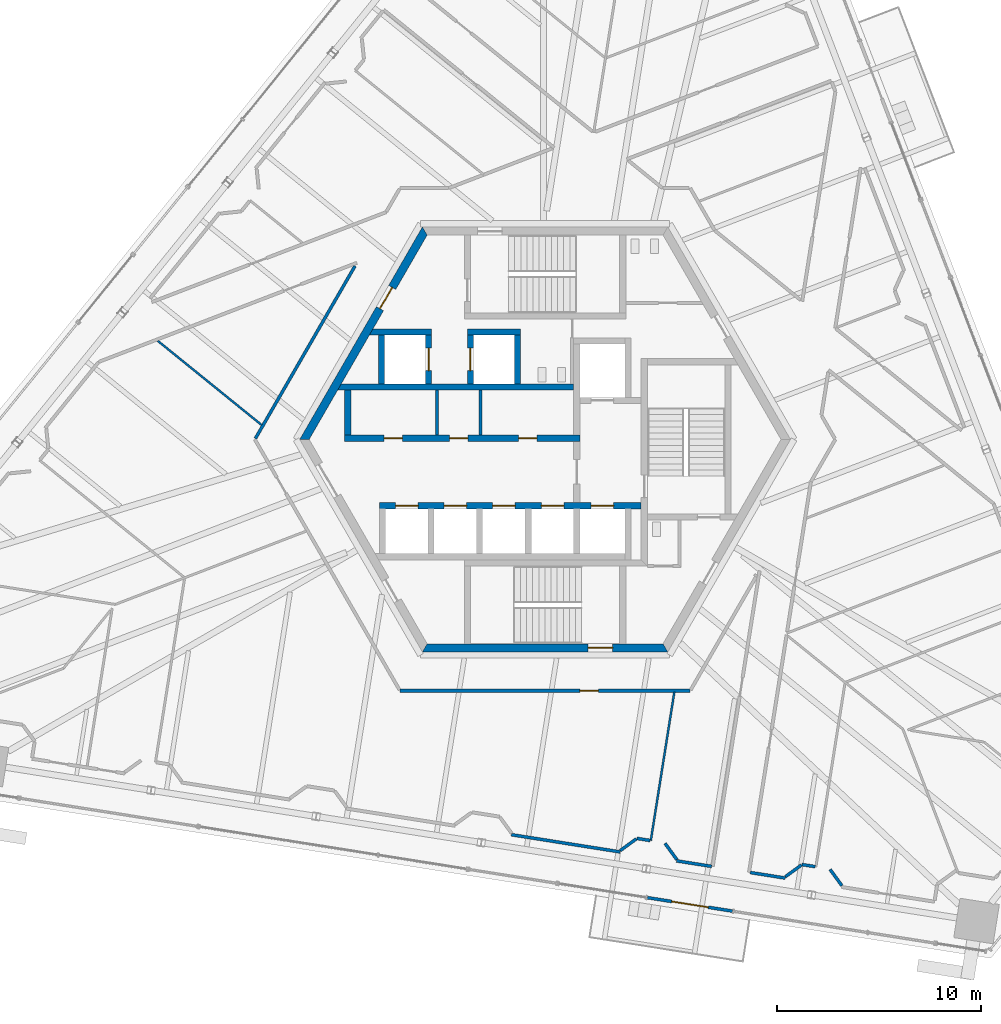
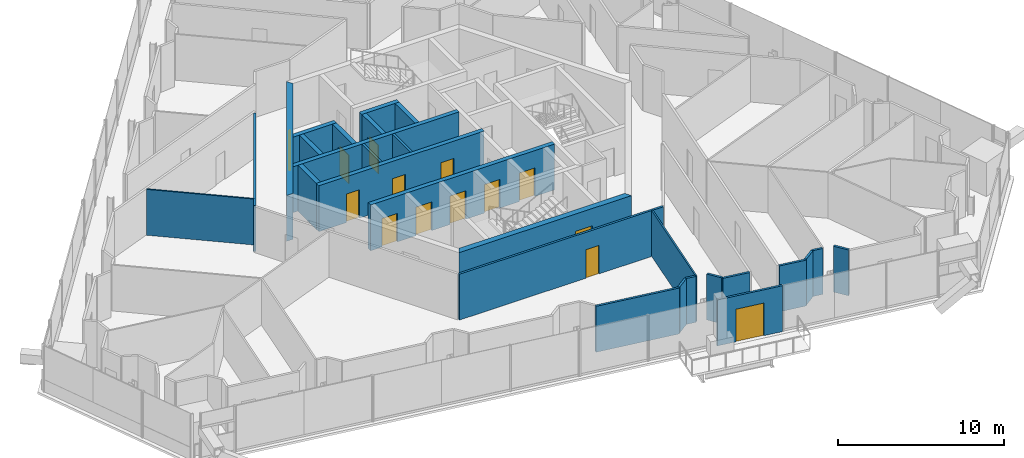
# One storey, part 14 of 23: 28 walls, 14 doors, 14 openings.
"""IFC4 building model written with IfcOpenShell, lengths in metres."""

import ifcopenshell
import ifcopenshell.guid

model = None  # the IFC model being written
_history = None  # IfcOwnerHistory: only IFC2X3 demands one
_inside = {}  # id of a spatial element -> (the spatial element, [elements in it])
_under = {}  # id of a project, library or spatial element -> (it, [spatial elements below it])
_declared = {}  # id of a project -> (the project, [libraries it declares])
_typed = {}  # id of a type object -> (the type object, [elements of that type])
_made_of = {}  # id of a material, layer set ... -> (it, [elements and type objects made of it])


def new_model(schema):
    """Start an empty IFC model of exactly this schema.

    Asked for "IFC4X3", IfcOpenShell would pick the latest addendum, in which some entities
    have other attributes; the version numbers below select the first issue.
    IFC2X3 requires an IfcOwnerHistory on every rooted entity: one is made here for all.
    """
    global model, _history
    if schema == "IFC4X3":
        model = ifcopenshell.file(schema_version=(4, 3, 0, 0))
    else:
        model = ifcopenshell.file(schema=schema)
    _inside.clear()
    _under.clear()
    _declared.clear()
    _typed.clear()
    _made_of.clear()
    _history = None
    if model.schema == "IFC2X3":
        org = make("IfcOrganization", Name="unknown")
        user = make(
            "IfcPersonAndOrganization",
            ThePerson=make("IfcPerson", FamilyName="unknown"),
            TheOrganization=org,
        )
        app = make(
            "IfcApplication",
            ApplicationDeveloper=org,
            Version="unknown",
            ApplicationFullName="unknown",
            ApplicationIdentifier="unknown",
        )
        _history = make(
            "IfcOwnerHistory",
            OwningUser=user,
            OwningApplication=app,
            ChangeAction="ADDED",
            CreationDate=0,
        )
    return model


def make(cls, **values):
    """One entity of the class cls with the attributes given. An attribute that is None is left unset."""
    return model.create_entity(
        cls, **{name: value for name, value in values.items() if value is not None}
    )


def rooted(cls, **values):
    """An entity with a GlobalId (a new one), such as an element, a storey or a relation."""
    return make(cls, GlobalId=ifcopenshell.guid.new(), OwnerHistory=_history, **values)


def si_unit(unit_type, name, prefix=None):
    """IfcSIUnit, for example si_unit("LENGTHUNIT", "METRE", prefix="MILLI")."""
    return make("IfcSIUnit", UnitType=unit_type, Prefix=prefix, Name=name)


def assignment(units):
    """IfcUnitAssignment: the units of a project."""
    return None if units is None else make("IfcUnitAssignment", Units=units)


def point(xyz):
    """IfcCartesianPoint."""
    return None if xyz is None else make("IfcCartesianPoint", Coordinates=xyz)


def direction(xyz):
    """IfcDirection."""
    return None if xyz is None else make("IfcDirection", DirectionRatios=xyz)


def frame(location, z_axis=None, x_axis=None):
    """IfcAxis2Placement3D, a coordinate frame: its origin and axes. An axis left out is left unset."""
    return make(
        "IfcAxis2Placement3D",
        Location=point(location),
        Axis=direction(z_axis),
        RefDirection=direction(x_axis),
    )


def frame_2d(location, x_axis=None):
    """IfcAxis2Placement2D, a coordinate frame in the plane: its origin and x axis."""
    return make(
        "IfcAxis2Placement2D", Location=point(location), RefDirection=direction(x_axis)
    )


def origin():
    """The frame at (0, 0, 0) with its axes left unset."""
    return frame((0.0, 0.0, 0.0))


def place(relative_to, where):
    """IfcLocalPlacement: puts the frame where relative to a parent placement (None: the world)."""
    return make(
        "IfcLocalPlacement", PlacementRelTo=relative_to, RelativePlacement=where
    )


def context(
    kind, dimensions, precision=None, world=None, true_north=None, identifier=None
):
    """IfcGeometricRepresentationContext, for example the 3D "Model" context."""
    return make(
        "IfcGeometricRepresentationContext",
        ContextIdentifier=identifier,
        ContextType=kind,
        CoordinateSpaceDimension=dimensions,
        Precision=precision,
        WorldCoordinateSystem=world,
        TrueNorth=true_north,
    )


def subcontext(parent, identifier, kind, view, scale=None):
    """IfcGeometricRepresentationSubContext, for example "Body" below "Model"."""
    return make(
        "IfcGeometricRepresentationSubContext",
        ContextIdentifier=identifier,
        ContextType=kind,
        ParentContext=parent,
        TargetScale=scale,
        TargetView=view,
    )


def project(units=None, contexts=None):
    """IfcProject with its units and contexts."""
    return rooted(
        "IfcProject",
        Name="project",
        RepresentationContexts=contexts,
        UnitsInContext=assignment(units),
    )


def spatial(cls, under=None, at=None, **own):
    """A site, building, storey or space (cls), placed at a placement, below another one or the project."""
    s = rooted(cls, ObjectPlacement=at, **own)
    if under is not None:
        _under.setdefault(under.id(), (under, []))[1].append(s)
    return s


def polyline(points):
    """IfcPolyline through the points."""
    return make("IfcPolyline", Points=[point(p) for p in points])


def profile(cls, at=None, kind="AREA", **sizes):
    """A parametric profile (cls). Its sizes go by their IFC names, for example OverallWidth=200.0."""
    return make(cls, ProfileType=kind, Position=at, **sizes)


def rectangle(**sizes):
    """IfcRectangleProfileDef."""
    return profile("IfcRectangleProfileDef", **sizes)


def outline(outer, holes=None, kind="AREA"):
    """IfcArbitraryClosedProfileDef: a profile drawn as a closed curve; with holes, ...WithVoids."""
    if holes is None:
        return make("IfcArbitraryClosedProfileDef", ProfileType=kind, OuterCurve=outer)
    return make(
        "IfcArbitraryProfileDefWithVoids",
        ProfileType=kind,
        OuterCurve=outer,
        InnerCurves=holes,
    )


def extrude(swept, where, along, depth):
    """IfcExtrudedAreaSolid: the profile swept, set in the frame where, extruded along a direction by depth."""
    return make(
        "IfcExtrudedAreaSolid",
        SweptArea=swept,
        Position=where,
        ExtrudedDirection=direction(along),
        Depth=depth,
    )


def shape(context_of_items, identifier, shape_type, items):
    """IfcShapeRepresentation: the items that make up one representation, for example the "Body"."""
    return make(
        "IfcShapeRepresentation",
        ContextOfItems=context_of_items,
        RepresentationIdentifier=identifier,
        RepresentationType=shape_type,
        Items=items,
    )


def source(mapping_origin, context_of_items, identifier, shape_type, items):
    """IfcRepresentationMap: a shape defined once, which mapped items show again and again."""
    return make(
        "IfcRepresentationMap",
        MappingOrigin=mapping_origin,
        MappedRepresentation=shape(context_of_items, identifier, shape_type, items),
    )


def transform(
    local_origin,
    x_axis=None,
    y_axis=None,
    z_axis=None,
    scale=None,
    scale2=None,
    scale3=None,
    uniform=True,
):
    """IfcCartesianTransformationOperator3D, or its non-uniform kind. x_axis, y_axis, z_axis: its Axis1, 2, 3."""
    if uniform:
        return make(
            "IfcCartesianTransformationOperator3D",
            Axis1=direction(x_axis),
            Axis2=direction(y_axis),
            LocalOrigin=point(local_origin),
            Scale=scale,
            Axis3=direction(z_axis),
        )
    return make(
        "IfcCartesianTransformationOperator3DnonUniform",
        Axis1=direction(x_axis),
        Axis2=direction(y_axis),
        LocalOrigin=point(local_origin),
        Scale=scale,
        Axis3=direction(z_axis),
        Scale2=scale2,
        Scale3=scale3,
    )


def mapped(mapping_source, mapping_target):
    """IfcMappedItem: shows the shape of a source again, moved by a transform."""
    return make(
        "IfcMappedItem", MappingSource=mapping_source, MappingTarget=mapping_target
    )


def material(Name=None, Category=None):
    """IfcMaterial."""
    return make("IfcMaterial", Name=Name, Category=Category)


def layer(
    of_material, thickness, ventilated=None, Name=None, Category=None, Priority=None
):
    """IfcMaterialLayer: one layer of a wall or slab, of a material (None: an air gap)."""
    return make(
        "IfcMaterialLayer",
        Material=of_material,
        LayerThickness=thickness,
        IsVentilated=ventilated,
        Name=Name,
        Category=Category,
        Priority=Priority,
    )


def layer_set(layers, Name=None):
    """IfcMaterialLayerSet."""
    return make("IfcMaterialLayerSet", MaterialLayers=layers, LayerSetName=Name)


def made_of(thing, what):
    """Note that an element or type object is made of a material, layer set ...; save() writes the relation."""
    if what is not None:
        _made_of.setdefault(what.id(), (what, []))[1].append(thing)
    return thing


def type_object(cls, material=None, **own):
    """A type object (cls), such as IfcWallType, which elements share."""
    return made_of(rooted(cls, **own), material)


def element(
    cls,
    number,
    at=None,
    inside=None,
    cuts=None,
    type_object=None,
    material=None,
    context=None,
    identifier="Body",
    shape_type=None,
    held_by="IfcProductDefinitionShape",
    body=None,
    shapes=None,
    **own,
):
    """One element of the class cls, such as IfcWall. Its Tag is "e" and its number.

    at: its placement. inside: the storey or other place that contains it. cuts: it is an
    opening in that element (IfcRelVoidsElement). A single representation is given by context,
    identifier, shape_type and body (its items); several are given by shapes. held_by: the class
    of the entity that holds the representations. save() writes the other relations.
    """
    e = rooted(cls, Tag="e%d" % number, ObjectPlacement=at, **own)
    if body is not None:
        shapes = [shape(context, identifier, shape_type, body)]
    if shapes is not None:
        e.Representation = make(held_by, Representations=shapes)
    if inside is not None:
        _inside.setdefault(inside.id(), (inside, []))[1].append(e)
    if cuts is not None:
        rooted(
            "IfcRelVoidsElement", RelatingBuildingElement=cuts, RelatedOpeningElement=e
        )
    if type_object is not None:
        _typed.setdefault(type_object.id(), (type_object, []))[1].append(e)
    return made_of(e, material)


def fill(opening, filler):
    """IfcRelFillsElement: the door or window that sits in an opening."""
    return rooted(
        "IfcRelFillsElement",
        RelatingOpeningElement=opening,
        RelatedBuildingElement=filler,
    )


def aggregate(whole, parts):
    """IfcRelAggregates: a whole, such as a stair, and the parts it consists of."""
    return rooted("IfcRelAggregates", RelatingObject=whole, RelatedObjects=parts)


def save(model, path):
    """Write the relations noted so far, then the file.

    IfcRelAggregates (storeys below a building ...), IfcRelContainedInSpatialStructure (elements
    in a storey), IfcRelDefinesByType, IfcRelAssociatesMaterial and IfcRelDeclares: one each for
    every whole, place, type object, material and project.
    """
    for whole, parts in _under.values():
        aggregate(whole, parts)
    for where, things in _inside.values():
        rooted(
            "IfcRelContainedInSpatialStructure",
            RelatedElements=things,
            RelatingStructure=where,
        )
    for kind, things in _typed.values():
        rooted("IfcRelDefinesByType", RelatedObjects=things, RelatingType=kind)
    for what, things in _made_of.values():
        rooted("IfcRelAssociatesMaterial", RelatedObjects=things, RelatingMaterial=what)
    for by, libraries in _declared.values():
        rooted("IfcRelDeclares", RelatingContext=by, RelatedDefinitions=libraries)
    model.write(path)


model = new_model("IFC4")

# Units and contexts
model_context = context("Model", 3, precision=1e-05, world=origin(), true_north=direction((0.0, 1.0)))
body_context = subcontext(model_context, "Body", "Model", "MODEL_VIEW")
ifc_project = project(units=[si_unit("LENGTHUNIT", "METRE"), si_unit("AREAUNIT", "SQUARE_METRE"), si_unit("VOLUMEUNIT", "CUBIC_METRE"), si_unit("PLANEANGLEUNIT", "RADIAN"), si_unit("MASSUNIT", "GRAM", prefix="KILO")], contexts=[model_context])

# Site, building, storey
site_placement = place(None, origin())
site = spatial("IfcSite", under=ifc_project, at=site_placement, CompositionType="ELEMENT")
building_placement = place(site_placement, origin())
building = spatial("IfcBuilding", under=site, at=building_placement, Name="Triune Harvest Tower", CompositionType="ELEMENT")
storey_placement = place(building_placement, frame((0.0, 0.0, 171.300048828125)))
storey = spatial("IfcBuildingStorey", under=building, at=storey_placement, Name="L44", CompositionType="ELEMENT", Elevation=171.300048828125)

# Wall, openings, doors
ifc_material_1 = material(Name="Concrete 70 MPa", Category="concrete")
ifc_layer_1 = layer(ifc_material_1, 0.300048828125)
ifc_layer_set_1 = layer_set([ifc_layer_1], Name="Concrete 70 MPa")
wall_type_1 = type_object("IfcWallType", Name="Core wall 300", PredefinedType="SHEAR", material=ifc_layer_set_1)
wall_1_placement = place(storey_placement, frame((-9.800048828125, 0.06005859375, 0.0), z_axis=(0.0, 0.0, 1.0), x_axis=(1.0, 0.0, 0.0)))
wall_1 = element("IfcWall", 1, at=wall_1_placement, inside=storey, type_object=wall_type_1, Name="North front wall", PredefinedType="SHEAR", context=body_context, shape_type="SweptSolid", body=[
    extrude(rectangle(XDim=11.5, YDim=0.300048828125, at=frame_2d((5.75, 0.0))), origin(), (0.0, 0.0, 1.0), 3.375),
])
opening_1_placement = place(wall_1_placement, frame((1.922607421875, 0.0, 0.0)))
opening_1 = element("IfcOpeningElement", 2, at=opening_1_placement, cuts=wall_1, Name="Opening CD-RN1", PredefinedType="OPENING", context=body_context, shape_type="SweptSolid", body=[
    extrude(rectangle(XDim=0.89990234375, YDim=2.10009765625, at=frame_2d((0.449951171875, 1.050048828125))), frame((0.0, 0.16015625, 0.0), z_axis=(0.0, -1.0, 0.0), x_axis=(1.0, 0.0, 0.0)), (0.0, 0.0, 1.0), 0.320068359375),
])
opening_2_placement = place(wall_1_placement, frame((5.125, 0.0, 0.0)))
opening_2 = element("IfcOpeningElement", 3, at=opening_2_placement, cuts=wall_1, Name="Opening CD-RN2", PredefinedType="OPENING", context=body_context, shape_type="SweptSolid", body=[
    extrude(rectangle(XDim=0.89990234375, YDim=2.10009765625, at=frame_2d((0.449951171875, 1.050048828125))), frame((0.0, 0.16015625, 0.0), z_axis=(0.0, -1.0, 0.0), x_axis=(1.0, 0.0, 0.0)), (0.0, 0.0, 1.0), 0.320068359375),
])
opening_3_placement = place(wall_1_placement, frame((8.50244140625, 0.0, 0.0)))
opening_3 = element("IfcOpeningElement", 4, at=opening_3_placement, cuts=wall_1, Name="Opening CD-RN3", PredefinedType="OPENING", context=body_context, shape_type="SweptSolid", body=[
    extrude(rectangle(XDim=0.89990234375, YDim=2.10009765625, at=frame_2d((0.449951171875, 1.050048828125))), frame((0.0, 0.16015625, 0.0), z_axis=(0.0, -1.0, 0.0), x_axis=(1.0, 0.0, 0.0)), (0.0, 0.0, 1.0), 0.320068359375),
])
ifc_material_2 = material(Name="Steel S235", Category="steel")
door_type_1 = type_object("IfcDoorType", Name="Riser door 900 FD120", OperationType="SINGLE_SWING_LEFT", PredefinedType="DOOR", material=ifc_material_2)
door_1_placement = place(opening_1_placement, frame((0.89990234375, 0.0, 0.0), z_axis=(0.0, 0.0, 1.0), x_axis=(-1.0, 0.0, 0.0)))
door_1 = element("IfcDoor", 5, at=door_1_placement, inside=storey, type_object=door_type_1, Name="Door CD-RN1", OperationType="SINGLE_SWING_RIGHT", OverallHeight=2.10009765625, OverallWidth=0.89990234375, PredefinedType="DOOR", context=body_context, shape_type="SweptSolid", body=[
    extrude(rectangle(XDim=0.89990234375, YDim=2.10009765625, at=frame_2d((0.449951171875, 1.050048828125))), frame((0.0, 0.02490234375, 0.0), z_axis=(0.0, -1.0, 0.0), x_axis=(1.0, 0.0, 0.0)), (0.0, 0.0, 1.0), 0.050048828125),
])
fill(opening_1, door_1)
door_2_placement = place(opening_2_placement, frame((0.89990234375, 0.0, 0.0), z_axis=(0.0, 0.0, 1.0), x_axis=(-1.0, 0.0, 0.0)))
door_2 = element("IfcDoor", 6, at=door_2_placement, inside=storey, type_object=door_type_1, Name="Door CD-RN2", OperationType="SINGLE_SWING_RIGHT", OverallHeight=2.10009765625, OverallWidth=0.89990234375, PredefinedType="DOOR", context=body_context, shape_type="SweptSolid", body=[
    extrude(rectangle(XDim=0.89990234375, YDim=2.10009765625, at=frame_2d((0.449951171875, 1.050048828125))), frame((0.0, 0.02490234375, 0.0), z_axis=(0.0, -1.0, 0.0), x_axis=(1.0, 0.0, 0.0)), (0.0, 0.0, 1.0), 0.050048828125),
])
fill(opening_2, door_2)
door_3_placement = place(opening_3_placement, frame((0.89990234375, 0.0, 0.0), z_axis=(0.0, 0.0, 1.0), x_axis=(-1.0, 0.0, 0.0)))
door_3 = element("IfcDoor", 7, at=door_3_placement, inside=storey, type_object=door_type_1, Name="Door CD-RN3", OperationType="SINGLE_SWING_RIGHT", OverallHeight=2.10009765625, OverallWidth=0.89990234375, PredefinedType="DOOR", context=body_context, shape_type="SweptSolid", body=[
    extrude(rectangle(XDim=0.89990234375, YDim=2.10009765625, at=frame_2d((0.449951171875, 1.050048828125))), frame((0.0, 0.02490234375, 0.0), z_axis=(0.0, -1.0, 0.0), x_axis=(1.0, 0.0, 0.0)), (0.0, 0.0, 1.0), 0.050048828125),
])
fill(opening_3, door_3)

# Wall
wall_2_placement = place(storey_placement, frame((-9.800048828125, 2.56005859375, 0.0), z_axis=(0.0, 0.0, 1.0), x_axis=(1.0, 0.0, 0.0)))
element("IfcWall", 8, at=wall_2_placement, inside=storey, type_object=wall_type_1, Name="North back wall", PredefinedType="SHEAR", context=body_context, shape_type="SweptSolid", body=[
    extrude(outline(polyline([(11.199951171875, -0.14990234375), (-0.34912109375, -0.14990234375), (-0.17578125, 0.14990234375), (11.199951171875, 0.14990234375), (11.199951171875, -0.14990234375)])), origin(), (0.0, 0.0, 1.0), 3.375),
])

# Wall, openings, doors
wall_3_placement = place(storey_placement, frame((-8.10009765625, -3.239990234375, 0.0), z_axis=(0.0, 0.0, 1.0), x_axis=(1.0, 0.0, 0.0)))
wall_3 = element("IfcWall", 9, at=wall_3_placement, inside=storey, type_object=wall_type_1, Name="South front wall", PredefinedType="SHEAR", context=body_context, shape_type="SweptSolid", body=[
    extrude(rectangle(XDim=12.800048828125, YDim=0.300048828125, at=frame_2d((6.39990234375, 0.0))), origin(), (0.0, 0.0, 1.0), 3.375),
])
opening_4_placement = place(wall_3_placement, frame((0.78759765625, 0.0, 0.0)))
opening_4 = element("IfcOpeningElement", 10, at=opening_4_placement, cuts=wall_3, Name="Opening LD-HR1-44", PredefinedType="OPENING", context=body_context, shape_type="SweptSolid", body=[
    extrude(rectangle(XDim=1.10009765625, YDim=2.10009765625, at=frame_2d((0.550048828125, 1.050048828125))), frame((0.0, 0.16015625, 0.0), z_axis=(0.0, -1.0, 0.0), x_axis=(1.0, 0.0, 0.0)), (0.0, 0.0, 1.0), 0.320068359375),
])
opening_5_placement = place(wall_3_placement, frame((3.16259765625, 0.0, 0.0)))
opening_5 = element("IfcOpeningElement", 11, at=opening_5_placement, cuts=wall_3, Name="Opening LD-HR2-44", PredefinedType="OPENING", context=body_context, shape_type="SweptSolid", body=[
    extrude(rectangle(XDim=1.10009765625, YDim=2.10009765625, at=frame_2d((0.550048828125, 1.050048828125))), frame((0.0, 0.16015625, 0.0), z_axis=(0.0, -1.0, 0.0), x_axis=(1.0, 0.0, 0.0)), (0.0, 0.0, 1.0), 0.320068359375),
])
opening_6_placement = place(wall_3_placement, frame((5.53759765625, 0.0, 0.0)))
opening_6 = element("IfcOpeningElement", 12, at=opening_6_placement, cuts=wall_3, Name="Opening LD-HR3-44", PredefinedType="OPENING", context=body_context, shape_type="SweptSolid", body=[
    extrude(rectangle(XDim=1.10009765625, YDim=2.10009765625, at=frame_2d((0.550048828125, 1.050048828125))), frame((0.0, 0.16015625, 0.0), z_axis=(0.0, -1.0, 0.0), x_axis=(1.0, 0.0, 0.0)), (0.0, 0.0, 1.0), 0.320068359375),
])
opening_7_placement = place(wall_3_placement, frame((7.91259765625, 0.0, 0.0)))
opening_7 = element("IfcOpeningElement", 13, at=opening_7_placement, cuts=wall_3, Name="Opening LD-HR4-44", PredefinedType="OPENING", context=body_context, shape_type="SweptSolid", body=[
    extrude(rectangle(XDim=1.10009765625, YDim=2.10009765625, at=frame_2d((0.550048828125, 1.050048828125))), frame((0.0, 0.16015625, 0.0), z_axis=(0.0, -1.0, 0.0), x_axis=(1.0, 0.0, 0.0)), (0.0, 0.0, 1.0), 0.320068359375),
])
opening_8_placement = place(wall_3_placement, frame((10.35009765625, 0.0, 0.0)))
opening_8 = element("IfcOpeningElement", 14, at=opening_8_placement, cuts=wall_3, Name="Opening LD-FF2-44", PredefinedType="OPENING", context=body_context, shape_type="SweptSolid", body=[
    extrude(rectangle(XDim=1.10009765625, YDim=2.10009765625, at=frame_2d((0.550048828125, 1.050048828125))), frame((0.0, 0.16015625, 0.0), z_axis=(0.0, -1.0, 0.0), x_axis=(1.0, 0.0, 0.0)), (0.0, 0.0, 1.0), 0.320068359375),
])
ifc_material_3 = material(Name="Stainless steel AISI 304", Category="steel")
door_type_2 = type_object("IfcDoorType", Name="Landing door 1100 x 2100", OperationType="DOUBLE_DOOR_SLIDING", PredefinedType="DOOR", material=ifc_material_3)
door_4_placement = place(opening_4_placement, origin())
door_4 = element("IfcDoor", 15, at=door_4_placement, inside=storey, type_object=door_type_2, Name="Door LD-HR1-44", OperationType="DOUBLE_DOOR_SLIDING", OverallHeight=2.10009765625, OverallWidth=1.10009765625, PredefinedType="DOOR", context=body_context, shape_type="SweptSolid", body=[
    extrude(rectangle(XDim=1.10009765625, YDim=2.10009765625, at=frame_2d((0.550048828125, 1.050048828125))), frame((0.0, 0.02490234375, 0.0), z_axis=(0.0, -1.0, 0.0), x_axis=(1.0, 0.0, 0.0)), (0.0, 0.0, 1.0), 0.050048828125),
])
fill(opening_4, door_4)
door_5_placement = place(opening_5_placement, origin())
door_5 = element("IfcDoor", 16, at=door_5_placement, inside=storey, type_object=door_type_2, Name="Door LD-HR2-44", OperationType="DOUBLE_DOOR_SLIDING", OverallHeight=2.10009765625, OverallWidth=1.10009765625, PredefinedType="DOOR", context=body_context, shape_type="SweptSolid", body=[
    extrude(rectangle(XDim=1.10009765625, YDim=2.10009765625, at=frame_2d((0.550048828125, 1.050048828125))), frame((0.0, 0.02490234375, 0.0), z_axis=(0.0, -1.0, 0.0), x_axis=(1.0, 0.0, 0.0)), (0.0, 0.0, 1.0), 0.050048828125),
])
fill(opening_5, door_5)
door_6_placement = place(opening_6_placement, origin())
door_6 = element("IfcDoor", 17, at=door_6_placement, inside=storey, type_object=door_type_2, Name="Door LD-HR3-44", OperationType="DOUBLE_DOOR_SLIDING", OverallHeight=2.10009765625, OverallWidth=1.10009765625, PredefinedType="DOOR", context=body_context, shape_type="SweptSolid", body=[
    extrude(rectangle(XDim=1.10009765625, YDim=2.10009765625, at=frame_2d((0.550048828125, 1.050048828125))), frame((0.0, 0.02490234375, 0.0), z_axis=(0.0, -1.0, 0.0), x_axis=(1.0, 0.0, 0.0)), (0.0, 0.0, 1.0), 0.050048828125),
])
fill(opening_6, door_6)
door_7_placement = place(opening_7_placement, origin())
door_7 = element("IfcDoor", 18, at=door_7_placement, inside=storey, type_object=door_type_2, Name="Door LD-HR4-44", OperationType="DOUBLE_DOOR_SLIDING", OverallHeight=2.10009765625, OverallWidth=1.10009765625, PredefinedType="DOOR", context=body_context, shape_type="SweptSolid", body=[
    extrude(rectangle(XDim=1.10009765625, YDim=2.10009765625, at=frame_2d((0.550048828125, 1.050048828125))), frame((0.0, 0.02490234375, 0.0), z_axis=(0.0, -1.0, 0.0), x_axis=(1.0, 0.0, 0.0)), (0.0, 0.0, 1.0), 0.050048828125),
])
fill(opening_7, door_7)
door_8_placement = place(opening_8_placement, origin())
door_8 = element("IfcDoor", 19, at=door_8_placement, inside=storey, type_object=door_type_2, Name="Door LD-FF2-44", OperationType="DOUBLE_DOOR_SLIDING", OverallHeight=2.10009765625, OverallWidth=1.10009765625, PredefinedType="DOOR", context=body_context, shape_type="SweptSolid", body=[
    extrude(rectangle(XDim=1.10009765625, YDim=2.10009765625, at=frame_2d((0.550048828125, 1.050048828125))), frame((0.0, 0.02490234375, 0.0), z_axis=(0.0, -1.0, 0.0), x_axis=(1.0, 0.0, 0.0)), (0.0, 0.0, 1.0), 0.050048828125),
])
fill(opening_8, door_8)

# Walls
wall_4_placement = place(storey_placement, frame((-9.64990234375, 0.2099609375, 0.0), z_axis=(0.0, 0.0, 1.0), x_axis=(0.0, 1.0, 0.0)))
element("IfcWall", 20, at=wall_4_placement, inside=storey, type_object=wall_type_1, Name="North end west wall", PredefinedType="SHEAR", context=body_context, shape_type="SweptSolid", body=[
    extrude(rectangle(XDim=2.199951171875, YDim=0.300048828125, at=frame_2d((1.10009765625, 0.0))), origin(), (0.0, 0.0, 1.0), 3.375),
])
wall_5_placement = place(storey_placement, frame((-8.14990234375, 5.260009765625, 0.0), z_axis=(0.0, 0.0, 1.0), x_axis=(1.0, 0.0, 0.0)))
element("IfcWall", 21, at=wall_5_placement, inside=storey, type_object=wall_type_1, Name="Sv1 north wall", PredefinedType="SHEAR", context=body_context, shape_type="SweptSolid", body=[
    extrude(outline(polyline([(2.60009765625, -0.14990234375), (-0.440185546875, -0.14990234375), (-0.26708984375, 0.14990234375), (2.60009765625, 0.14990234375), (2.60009765625, -0.14990234375)])), origin(), (0.0, 0.0, 1.0), 3.375),
])
wall_6_placement = place(storey_placement, frame((-3.800048828125, 5.260009765625, 0.0), z_axis=(0.0, 0.0, 1.0), x_axis=(1.0, 0.0, 0.0)))
element("IfcWall", 22, at=wall_6_placement, inside=storey, type_object=wall_type_1, Name="Sv2 north wall", PredefinedType="SHEAR", context=body_context, shape_type="SweptSolid", body=[
    extrude(rectangle(XDim=2.60009765625, YDim=0.300048828125, at=frame_2d((1.300048828125, 0.0))), origin(), (0.0, 0.0, 1.0), 3.375),
])
ifc_material_4 = material(Name="Gypsum board on steel studs", Category="steel")
ifc_layer_2 = layer(ifc_material_4, 0.14990234375)
ifc_layer_set_2 = layer_set([ifc_layer_2], Name="Gypsum board on steel studs")
wall_type_2 = type_object("IfcWallType", Name="Fire Partition 150 mm", PredefinedType="PARTITIONING", material=ifc_layer_set_2)
wall_7_placement = place(storey_placement, frame((13.938720703125, -21.031005859375, 0.0), z_axis=(0.0, 0.0, 1.0), x_axis=(0.587772972264, -0.809025916196, 0.0)))
element("IfcWall", 23, at=wall_7_placement, inside=storey, type_object=wall_type_2, Name="Partition L44 032", PredefinedType="PARTITIONING", context=body_context, shape_type="SweptSolid", body=[
    extrude(rectangle(XDim=0.983154296875, YDim=0.14990234375, at=frame_2d((0.49169921875, 0.0))), origin(), (0.0, 0.0, 1.0), 3.375),
])
wall_8_placement = place(storey_placement, frame((6.421630859375, -20.60888671875, 0.0), z_axis=(0.0, 0.0, 1.0), x_axis=(0.987702797816, -0.156343158425, 0.0)))
element("IfcWall", 24, at=wall_8_placement, inside=storey, type_object=wall_type_2, Name="Partition L44 059", PredefinedType="PARTITIONING", context=body_context, shape_type="SweptSolid", body=[
    extrude(rectangle(XDim=1.745849609375, YDim=0.14990234375, at=frame_2d((0.873046875, 0.0))), origin(), (0.0, 0.0, 1.0), 3.375),
])
wall_9_placement = place(storey_placement, frame((4.490478515625, -19.5126953125, 0.0), z_axis=(0.0, 0.0, 1.0), x_axis=(0.987711497754, -0.156288186389, 0.0)))
element("IfcWall", 25, at=wall_9_placement, inside=storey, type_object=wall_type_2, Name="Partition L44 065", PredefinedType="PARTITIONING", context=body_context, shape_type="SweptSolid", body=[
    extrude(rectangle(XDim=0.654541015625, YDim=0.14990234375, at=frame_2d((0.3271484375, 0.0))), origin(), (0.0, 0.0, 1.0), 3.375),
])

# Wall, opening, door
wall_10_placement = place(storey_placement, frame((-7.096923828125, -12.292236328125, 0.0), z_axis=(0.0, 0.0, 1.0), x_axis=(1.0, 0.0, 0.0)))
wall_10 = element("IfcWall", 26, at=wall_10_placement, inside=storey, type_object=wall_type_2, Name="Partition L44 074", PredefinedType="PARTITIONING", context=body_context, shape_type="SweptSolid", body=[
    extrude(rectangle(XDim=14.19384765625, YDim=0.14990234375, at=frame_2d((7.096923828125, 0.0))), origin(), (0.0, 0.0, 1.0), 3.375),
])
opening_9_placement = place(wall_10_placement, frame((8.800048828125, 0.0, 0.0)))
opening_9 = element("IfcOpeningElement", 27, at=opening_9_placement, cuts=wall_10, Name="Opening L44-025", PredefinedType="OPENING", context=body_context, shape_type="SweptSolid", body=[
    extrude(rectangle(XDim=0.89990234375, YDim=2.10009765625, at=frame_2d((0.449951171875, 1.050048828125))), frame((0.0, 0.0849609375, 0.0), z_axis=(0.0, -1.0, 0.0), x_axis=(1.0, 0.0, 0.0)), (0.0, 0.0, 1.0), 0.169921875),
])
ifc_material_5 = material(Name="Timber and steel door set", Category="steel")
door_type_3 = type_object("IfcDoorType", Name="Single leaf door FD30 left hand 900 x 2100", OperationType="SINGLE_SWING_LEFT", PredefinedType="DOOR", material=ifc_material_5)
door_9_placement = place(opening_9_placement, origin())
door_9 = element("IfcDoor", 28, at=door_9_placement, inside=storey, type_object=door_type_3, Name="Door L44-025 Open Office 44.25", OperationType="SINGLE_SWING_LEFT", OverallHeight=2.10009765625, OverallWidth=0.89990234375, PredefinedType="DOOR", context=body_context, shape_type="SweptSolid", body=[
    extrude(rectangle(XDim=0.89990234375, YDim=2.10009765625, at=frame_2d((0.449951171875, 1.050048828125))), frame((0.0, 0.02490234375, 0.0), z_axis=(0.0, -1.0, 0.0), x_axis=(1.0, 0.0, 0.0)), (0.0, 0.0, 1.0), 0.050048828125),
])
fill(opening_9, door_9)

# Walls
wall_11_placement = place(storey_placement, frame((-14.1689453125, 0.04296875, 0.0), z_axis=(0.0, 0.0, 1.0), x_axis=(0.499995765644, 0.866027848477, 0.0)))
element("IfcWall", 29, at=wall_11_placement, inside=storey, type_object=wall_type_2, Name="Partition L44 125", PredefinedType="PARTITIONING", context=body_context, shape_type="SweptSolid", body=[
    extrude(rectangle(XDim=9.74267578125, YDim=0.14990234375, at=frame_2d((4.871337890625, 0.0))), origin(), (0.0, 0.0, 1.0), 3.375),
])
ifc_material_6 = material(Name="Gypsum board on steel studs", Category="steel")
ifc_layer_3 = layer(ifc_material_6, 0.10009765625)
ifc_layer_set_3 = layer_set([ifc_layer_3], Name="Gypsum board on steel studs")
wall_type_3 = type_object("IfcWallType", Name="Partition 100 mm", PredefinedType="PARTITIONING", material=ifc_layer_set_3)
wall_12_placement = place(storey_placement, frame((-18.939208984375, 4.8173828125, 0.0), z_axis=(0.0, 0.0, 1.0), x_axis=(0.777136182543, -0.629332466811, 0.0)))
element("IfcWall", 30, at=wall_12_placement, inside=storey, type_object=wall_type_3, Name="Partition L44 036", PredefinedType="PARTITIONING", context=body_context, shape_type="SweptSolid", body=[
    extrude(rectangle(XDim=6.53955078125, YDim=0.10009765625, at=frame_2d((3.269775390625, 0.0))), origin(), (0.0, 0.0, 1.0), 3.375),
])
wall_13_placement = place(storey_placement, frame((5.169189453125, -19.620361328125, 0.0), z_axis=(0.0, 0.0, 1.0), x_axis=(0.156448058977, 0.987686187431, 0.0)))
element("IfcWall", 31, at=wall_13_placement, inside=storey, type_object=wall_type_3, Name="Partition L44 140", PredefinedType="PARTITIONING", context=body_context, shape_type="SweptSolid", body=[
    extrude(rectangle(XDim=7.359375, YDim=0.10009765625, at=frame_2d((3.6796875, 0.0))), origin(), (0.0, 0.0, 1.0), 3.375),
])

# Wall, opening, door
ifc_material_7 = material(Name="Aluminium bronze anodised", Category="aluminium")
ifc_layer_4 = layer(ifc_material_7, 0.14990234375)
ifc_layer_set_4 = layer_set([ifc_layer_4], Name="Aluminium bronze anodised")
wall_type_4 = type_object("IfcWallType", Name="WW-2 balcony window wall", PredefinedType="ELEMENTEDWALL", material=ifc_layer_set_4)
wall_14_placement = place(storey_placement, frame((9.16748046875, -23.06884765625, 0.0), z_axis=(0.0, 0.0, 1.0), x_axis=(-0.987685937385, 0.156449637561, 0.0)))
wall_14 = element("IfcWall", 32, at=wall_14_placement, inside=storey, type_object=wall_type_4, Name="WW-2 B4-F5 L44.9", PredefinedType="ELEMENTEDWALL", context=body_context, shape_type="SweptSolid", body=[
    extrude(rectangle(XDim=4.22119140625, YDim=0.14990234375, at=frame_2d((2.110595703125, 0.0))), origin(), (0.0, 0.0, 1.0), 3.375),
])
opening_10_placement = place(wall_14_placement, frame((1.21044921875, 0.0, 0.0)))
opening_10 = element("IfcOpeningElement", 33, at=opening_10_placement, cuts=wall_14, Name="Opening L44-E02", PredefinedType="OPENING", context=body_context, shape_type="SweptSolid", body=[
    extrude(rectangle(XDim=1.800048828125, YDim=2.39990234375, at=frame_2d((0.89990234375, 1.199951171875))), frame((0.0, 0.0849609375, 0.0), z_axis=(0.0, -1.0, 0.0), x_axis=(1.0, 0.0, 0.0)), (0.0, 0.0, 1.0), 0.169921875),
])
ifc_material_8 = material(Name="Glass", Category="glass")
door_type_4 = type_object("IfcDoorType", Name="DB-1 balcony door 1800 x 2400", OperationType="DOUBLE_DOOR_SINGLE_SWING", PredefinedType="DOOR", material=ifc_material_8)
door_10_placement = place(opening_10_placement, origin())
door_10 = element("IfcDoor", 34, at=door_10_placement, inside=storey, type_object=door_type_4, Name="Door L44-E02", OperationType="DOUBLE_DOOR_SINGLE_SWING", OverallHeight=2.39990234375, OverallWidth=1.800048828125, PredefinedType="DOOR", context=body_context, shape_type="SweptSolid", body=[
    extrude(rectangle(XDim=1.800048828125, YDim=2.39990234375, at=frame_2d((0.89990234375, 1.199951171875))), frame((0.0, 0.02490234375, 0.0), z_axis=(0.0, -1.0, 0.0), x_axis=(1.0, 0.0, 0.0)), (0.0, 0.0, 1.0), 0.050048828125),
])
fill(opening_10, door_10)

ifc_material_9 = material(Name="Concrete 70 MPa", Category="concrete")
ifc_layer_5 = layer(ifc_material_9, 0.39990234375)
ifc_layer_set_5 = layer_set([ifc_layer_5], Name="Concrete 70 MPa")
wall_type_5 = type_object("IfcWallType", Name="Core wall 400", PredefinedType="SHEAR", material=ifc_layer_set_5)
shared_shape_1 = source(origin(), body_context, "Body", "SweptSolid", [
    extrude(outline(polyline([(-0.115478515625, -0.199951171875), (11.884521484375, -0.199951171875), (11.653564453125, 0.199951171875), (0.115478515625, 0.199951171875), (-0.115478515625, -0.199951171875)])), origin(), (0.0, 0.0, 1.0), 3.375),
])
wall_15_placement = place(storey_placement, frame((-5.884521484375, 10.1923828125, 0.0), z_axis=(0.0, 0.0, 1.0), x_axis=(-0.499996592174, -0.866027371285, 0.0)))
wall_15 = element("IfcWall", 35, at=wall_15_placement, inside=storey, type_object=wall_type_5, Name="Hexagon 2 wall", PredefinedType="SHEAR", context=body_context, shape_type="MappedRepresentation", body=[
    mapped(shared_shape_1, transform((0.0, 0.0, 0.0), scale=1.0)),
])
opening_11_placement = place(wall_15_placement, frame((3.1845703125, 0.0, 0.0)))
opening_11 = element("IfcOpeningElement", 36, at=opening_11_placement, cuts=wall_15, Name="Opening CD-SVP", PredefinedType="OPENING", context=body_context, shape_type="SweptSolid", body=[
    extrude(rectangle(XDim=1.199951171875, YDim=2.10009765625, at=frame_2d((0.60009765625, 1.050048828125))), frame((0.0, 0.2099609375, 0.0), z_axis=(0.0, -1.0, 0.0), x_axis=(1.0, 0.0, 0.0)), (0.0, 0.0, 1.0), 0.419921875),
])
ifc_material_10 = material(Name="Steel S235", Category="steel")
door_type_5 = type_object("IfcDoorType", Name="Service door 1200 FD120", OperationType="SINGLE_SWING_LEFT", PredefinedType="DOOR", material=ifc_material_10)
door_11_placement = place(opening_11_placement, frame((1.199951171875, 0.0, 0.0), z_axis=(0.0, 0.0, 1.0), x_axis=(-1.0, 0.0, 0.0)))
door_11 = element("IfcDoor", 37, at=door_11_placement, inside=storey, type_object=door_type_5, Name="Door CD-SVP", OperationType="SINGLE_SWING_RIGHT", OverallHeight=2.10009765625, OverallWidth=1.199951171875, PredefinedType="DOOR", context=body_context, shape_type="SweptSolid", body=[
    extrude(rectangle(XDim=1.199951171875, YDim=2.10009765625, at=frame_2d((0.60009765625, 1.050048828125))), frame((0.0, 0.02490234375, 0.0), z_axis=(0.0, -1.0, 0.0), x_axis=(1.0, 0.0, 0.0)), (0.0, 0.0, 1.0), 0.050048828125),
])
fill(opening_11, door_11)

wall_16_placement = place(storey_placement, frame((-5.884521484375, -10.1923828125, 0.0), z_axis=(0.0, 0.0, 1.0), x_axis=(1.0, 0.0, 0.0)))
wall_16 = element("IfcWall", 38, at=wall_16_placement, inside=storey, type_object=wall_type_5, Name="Hexagon 4 wall", PredefinedType="SHEAR", context=body_context, shape_type="MappedRepresentation", body=[
    mapped(shared_shape_1, transform((0.0, 0.0, 0.0), scale=1.0)),
])
opening_12_placement = place(wall_16_placement, frame((7.984619140625, 0.0, 0.0)))
opening_12 = element("IfcOpeningElement", 39, at=opening_12_placement, cuts=wall_16, Name="Opening CD-S2P", PredefinedType="OPENING", context=body_context, shape_type="SweptSolid", body=[
    extrude(rectangle(XDim=1.199951171875, YDim=2.10009765625, at=frame_2d((0.60009765625, 1.050048828125))), frame((0.0, 0.2099609375, 0.0), z_axis=(0.0, -1.0, 0.0), x_axis=(1.0, 0.0, 0.0)), (0.0, 0.0, 1.0), 0.419921875),
])
ifc_material_11 = material(Name="Steel S235", Category="steel")
door_type_6 = type_object("IfcDoorType", Name="Stair door 1200 FD120", OperationType="SINGLE_SWING_LEFT", PredefinedType="DOOR", material=ifc_material_11)
door_12_placement = place(opening_12_placement, frame((1.199951171875, 0.0, 0.0), z_axis=(0.0, 0.0, 1.0), x_axis=(-1.0, 0.0, 0.0)))
door_12 = element("IfcDoor", 40, at=door_12_placement, inside=storey, type_object=door_type_6, Name="Door CD-S2P", OperationType="SINGLE_SWING_RIGHT", OverallHeight=2.10009765625, OverallWidth=1.199951171875, PredefinedType="DOOR", context=body_context, shape_type="SweptSolid", body=[
    extrude(rectangle(XDim=1.199951171875, YDim=2.10009765625, at=frame_2d((0.60009765625, 1.050048828125))), frame((0.0, 0.02490234375, 0.0), z_axis=(0.0, -1.0, 0.0), x_axis=(1.0, 0.0, 0.0)), (0.0, 0.0, 1.0), 0.050048828125),
])
fill(opening_12, door_12)

# Wall
shared_shape_2 = source(origin(), body_context, "Body", "SweptSolid", [
    extrude(rectangle(XDim=2.400146484375, YDim=0.300048828125, at=frame_2d((1.2001953125, 0.0))), origin(), (0.0, 0.0, 1.0), 3.375),
])
wall_17_placement = place(storey_placement, frame((-8.0, 2.7099609375, 0.0), z_axis=(0.0, 0.0, 1.0), x_axis=(0.0, 1.0, 0.0)))
element("IfcWall", 41, at=wall_17_placement, inside=storey, type_object=wall_type_1, Name="Sv1 west wall", PredefinedType="SHEAR", context=body_context, shape_type="MappedRepresentation", body=[
    mapped(shared_shape_2, transform((0.0, 0.0, 0.0), scale=1.0)),
])

# Wall, opening, door
wall_18_placement = place(storey_placement, frame((-5.699951171875, 2.7099609375, 0.0), z_axis=(0.0, 0.0, 1.0), x_axis=(0.0, 1.0, 0.0)))
wall_18 = element("IfcWall", 42, at=wall_18_placement, inside=storey, type_object=wall_type_1, Name="Sv1 east wall", PredefinedType="SHEAR", context=body_context, shape_type="MappedRepresentation", body=[
    mapped(shared_shape_2, transform((0.0, 0.0, 0.0), scale=1.0)),
])
opening_13_placement = place(wall_18_placement, frame((0.64990234375, 0.0, 0.0)))
opening_13 = element("IfcOpeningElement", 43, at=opening_13_placement, cuts=wall_18, Name="Opening LD-SV1-44", PredefinedType="OPENING", context=body_context, shape_type="SweptSolid", body=[
    extrude(rectangle(XDim=1.10009765625, YDim=2.10009765625, at=frame_2d((0.550048828125, 1.050048828125))), frame((0.0, 0.16015625, 0.0), z_axis=(0.0, -1.0, 0.0), x_axis=(1.0, 0.0, 0.0)), (0.0, 0.0, 1.0), 0.320068359375),
])
door_13_placement = place(opening_13_placement, origin())
door_13 = element("IfcDoor", 44, at=door_13_placement, inside=storey, type_object=door_type_2, Name="Door LD-SV1-44", OperationType="DOUBLE_DOOR_SLIDING", OverallHeight=2.10009765625, OverallWidth=1.10009765625, PredefinedType="DOOR", context=body_context, shape_type="SweptSolid", body=[
    extrude(rectangle(XDim=1.10009765625, YDim=2.10009765625, at=frame_2d((0.550048828125, 1.050048828125))), frame((0.0, 0.02490234375, 0.0), z_axis=(0.0, -1.0, 0.0), x_axis=(1.0, 0.0, 0.0)), (0.0, 0.0, 1.0), 0.050048828125),
])
fill(opening_13, door_13)

wall_19_placement = place(storey_placement, frame((-3.64990234375, 2.7099609375, 0.0), z_axis=(0.0, 0.0, 1.0), x_axis=(0.0, 1.0, 0.0)))
wall_19 = element("IfcWall", 45, at=wall_19_placement, inside=storey, type_object=wall_type_1, Name="Sv2 west wall", PredefinedType="SHEAR", context=body_context, shape_type="MappedRepresentation", body=[
    mapped(shared_shape_2, transform((0.0, 0.0, 0.0), scale=1.0)),
])
opening_14_placement = place(wall_19_placement, frame((0.64990234375, 0.0, 0.0)))
opening_14 = element("IfcOpeningElement", 46, at=opening_14_placement, cuts=wall_19, Name="Opening LD-SV2-44", PredefinedType="OPENING", context=body_context, shape_type="SweptSolid", body=[
    extrude(rectangle(XDim=1.10009765625, YDim=2.10009765625, at=frame_2d((0.550048828125, 1.050048828125))), frame((0.0, 0.16015625, 0.0), z_axis=(0.0, -1.0, 0.0), x_axis=(1.0, 0.0, 0.0)), (0.0, 0.0, 1.0), 0.320068359375),
])
door_14_placement = place(opening_14_placement, origin())
door_14 = element("IfcDoor", 47, at=door_14_placement, inside=storey, type_object=door_type_2, Name="Door LD-SV2-44", OperationType="DOUBLE_DOOR_SLIDING", OverallHeight=2.10009765625, OverallWidth=1.10009765625, PredefinedType="DOOR", context=body_context, shape_type="SweptSolid", body=[
    extrude(rectangle(XDim=1.10009765625, YDim=2.10009765625, at=frame_2d((0.550048828125, 1.050048828125))), frame((0.0, 0.02490234375, 0.0), z_axis=(0.0, -1.0, 0.0), x_axis=(1.0, 0.0, 0.0)), (0.0, 0.0, 1.0), 0.050048828125),
])
fill(opening_14, door_14)

# Walls
wall_20_placement = place(storey_placement, frame((-1.35009765625, 2.7099609375, 0.0), z_axis=(0.0, 0.0, 1.0), x_axis=(0.0, 1.0, 0.0)))
element("IfcWall", 48, at=wall_20_placement, inside=storey, type_object=wall_type_1, Name="Sv2 east wall", PredefinedType="SHEAR", context=body_context, shape_type="MappedRepresentation", body=[
    mapped(shared_shape_2, transform((0.0, 0.0, 0.0), scale=1.0)),
])
ifc_material_12 = material(Name="Concrete masonry unit", Category="masonry")
ifc_layer_6 = layer(ifc_material_12, 0.14990234375)
ifc_layer_set_6 = layer_set([ifc_layer_6], Name="Concrete masonry unit")
wall_type_6 = type_object("IfcWallType", Name="Block partition 150", PredefinedType="PARTITIONING", material=ifc_layer_set_6)
shared_shape_3 = source(origin(), body_context, "Body", "SweptSolid", [
    extrude(rectangle(XDim=2.199951171875, YDim=0.14990234375, at=frame_2d((1.10009765625, 0.0))), origin(), (0.0, 0.0, 1.0), 3.375),
])
for number, where, z_axis, x_axis, name in (
    (49, (-5.280029296875, 0.2099609375, 0.0), (0.0, 0.0, 1.0), (0.0, 1.0, 0.0), "Row n part 1 wall"),
    (50, (-3.169921875, 0.2099609375, 0.0), (0.0, 0.0, 1.0), (0.0, 1.0, 0.0), "Row n part 2 wall"),
):
    element("IfcWall", number, at=place(storey_placement, frame(where, z_axis=z_axis, x_axis=x_axis)), inside=storey, type_object=wall_type_6, Name=name, PredefinedType="PARTITIONING", context=body_context, shape_type="MappedRepresentation", body=[
        mapped(shared_shape_3, transform((0.0, 0.0, 0.0), scale=1.0)),
    ])
shared_shape_4 = source(origin(), body_context, "Body", "SweptSolid", [
    extrude(rectangle(XDim=0.9833984375, YDim=0.14990234375, at=frame_2d((0.49169921875, 0.0))), origin(), (0.0, 0.0, 1.0), 3.375),
])
for number, where, z_axis, x_axis, name in (
    (51, (5.8642578125, -19.751953125, 0.0), (0.0, 0.0, 1.0), (0.587817405052, -0.808993633051, 0.0), "Partition L44 031"),
    (52, (11.746337890625, -21.3876953125, 0.0), (0.0, 0.0, 1.0), (0.809111679147, 0.587654907806, 0.0), "Partition L44 100"),
    (53, (3.671875, -20.10888671875, 0.0), (0.0, 0.0, 1.0), (0.808993633051, 0.587817405052, 0.0), "Partition L44 101"),
):
    element("IfcWall", number, at=place(storey_placement, frame(where, z_axis=z_axis, x_axis=x_axis)), inside=storey, type_object=wall_type_2, Name=name, PredefinedType="PARTITIONING", context=body_context, shape_type="MappedRepresentation", body=[
        mapped(shared_shape_4, transform((0.0, 0.0, 0.0), scale=1.0)),
    ])
shared_shape_5 = source(origin(), body_context, "Body", "SweptSolid", [
    extrude(rectangle(XDim=1.73583984375, YDim=0.14990234375, at=frame_2d((0.867919921875, 0.0))), origin(), (0.0, 0.0, 1.0), 3.375),
])
wall_21_placement = place(storey_placement, frame((10.032470703125, -21.1806640625, 0.0), z_axis=(0.0, 0.0, 1.0), x_axis=(0.987692155254, -0.156410378331, 0.0)))
element("IfcWall", 54, at=wall_21_placement, inside=storey, type_object=wall_type_2, Name="Partition L44 060", PredefinedType="PARTITIONING", context=body_context, shape_type="MappedRepresentation", body=[
    mapped(shared_shape_5, transform((0.0, 0.0, 0.0), scale=1.0)),
])
shared_shape_6 = source(origin(), body_context, "Body", "SweptSolid", [
    extrude(rectangle(XDim=5.3916015625, YDim=0.14990234375, at=frame_2d((2.69580078125, 0.0))), origin(), (0.0, 0.0, 1.0), 3.375),
])
wall_22_placement = place(storey_placement, frame((-1.652587890625, -19.330078125, 0.0), z_axis=(0.0, 0.0, 1.0), x_axis=(0.987693107617, -0.156404364282, 0.0)))
element("IfcWall", 55, at=wall_22_placement, inside=storey, type_object=wall_type_2, Name="Partition L44 058", PredefinedType="PARTITIONING", context=body_context, shape_type="MappedRepresentation", body=[
    mapped(shared_shape_6, transform((0.0, 0.0, 0.0), scale=1.0)),
])
shared_shape_7 = source(origin(), body_context, "Body", "SweptSolid", [
    extrude(rectangle(XDim=0.654296875, YDim=0.14990234375, at=frame_2d((0.3271484375, 0.0))), origin(), (0.0, 0.0, 1.0), 3.375),
])
wall_23_placement = place(storey_placement, frame((12.56494140625, -20.791015625, 0.0), z_axis=(0.0, 0.0, 1.0), x_axis=(0.98770238175, -0.156345786911, 0.0)))
element("IfcWall", 56, at=wall_23_placement, inside=storey, type_object=wall_type_2, Name="Partition L44 066", PredefinedType="PARTITIONING", context=body_context, shape_type="MappedRepresentation", body=[
    mapped(shared_shape_7, transform((0.0, 0.0, 0.0), scale=1.0)),
])

save(model, "model.ifc")
